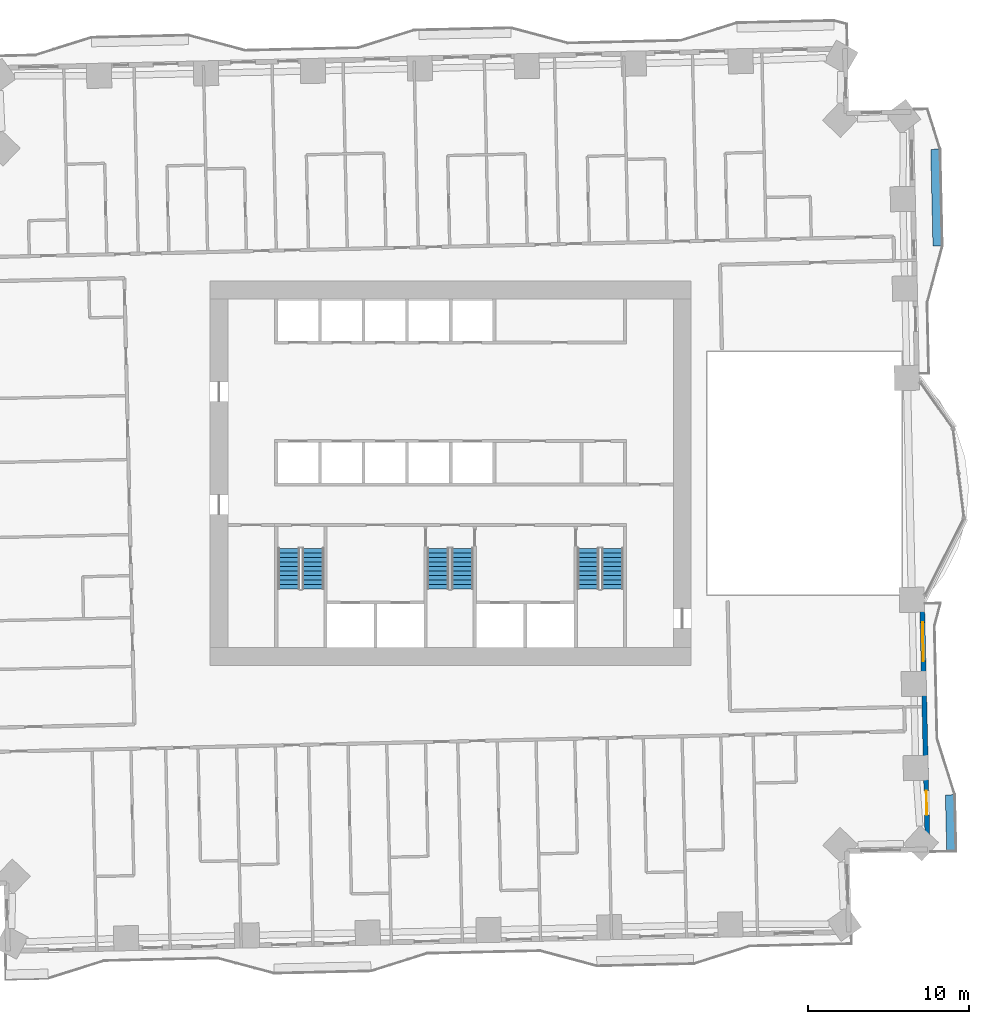
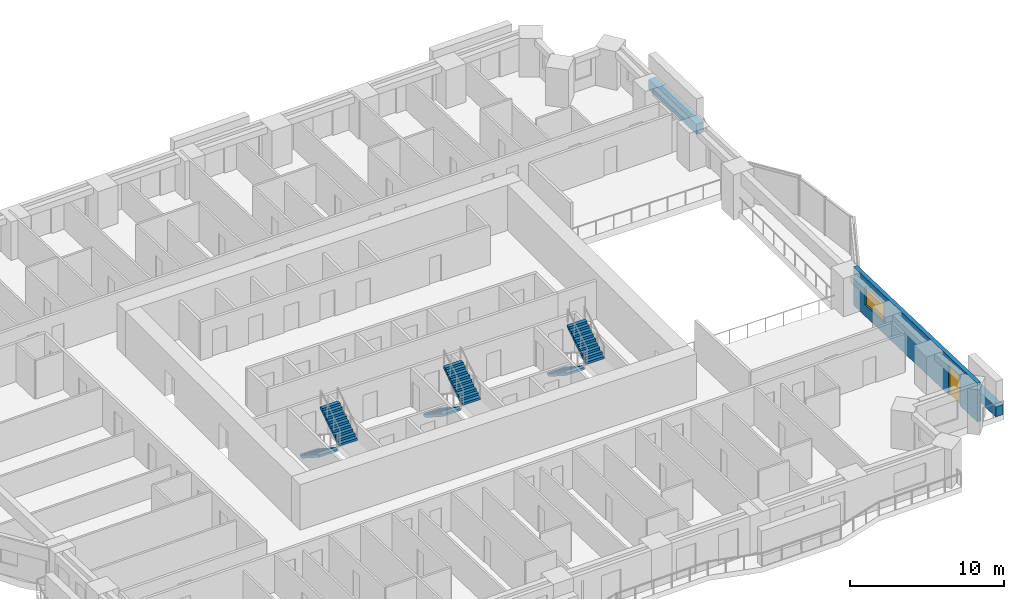
# One storey, part 12 of 16: 6 stair flights, 3 walls, 1 door, 1 window, 2 openings, 3 elements without a shape of their own.
"""IFC4 building model written with IfcOpenShell, lengths in metres."""

from ifc_helpers import new_model, si_unit, direction, frame, frame_2d, origin, place, context, subcontext, project, spatial, polyline, rectangle, outline, extrude, material, layer, layer_set, type_object, element, fill, aggregate, save


model = new_model("IFC4")

# Units and contexts
model_context = context("Model", 3, precision=1e-05, world=origin(), true_north=direction((0.0, 1.0)))
body_context = subcontext(model_context, "Body", "Model", "MODEL_VIEW")
ifc_project = project(units=[si_unit("LENGTHUNIT", "METRE"), si_unit("AREAUNIT", "SQUARE_METRE"), si_unit("VOLUMEUNIT", "CUBIC_METRE"), si_unit("PLANEANGLEUNIT", "RADIAN"), si_unit("MASSUNIT", "GRAM", prefix="KILO")], contexts=[model_context])

# Site, building, storey
site_placement = place(None, origin())
site = spatial("IfcSite", under=ifc_project, at=site_placement, CompositionType="ELEMENT")
building_placement = place(site_placement, origin())
building = spatial("IfcBuilding", under=site, at=building_placement, Name="Mangrove Gate Tower", CompositionType="ELEMENT")
storey_placement = place(building_placement, frame((0.0, 0.0, 41.300048828125)))
storey = spatial("IfcBuildingStorey", under=building, at=storey_placement, Name="L09", CompositionType="ELEMENT", Elevation=41.300048828125)

# Wall, openings, door, window
ifc_material_1 = material(Name="Limestone", Category="masonry")
ifc_layer_1 = layer(ifc_material_1, 0.0400390625, Name="Limestone cladding")
ifc_material_2 = material(Name="Ventilated air gap")
ifc_layer_2 = layer(ifc_material_2, 0.0400390625, Name="Ventilated cavity")
ifc_material_3 = material(Name="Mineral wool insulation")
ifc_layer_3 = layer(ifc_material_3, 0.06005859375, Name="Insulation")
ifc_material_4 = material(Name="Breather membrane")
ifc_layer_4 = layer(ifc_material_4, 0.001953125, Name="Breather membrane")
ifc_material_5 = material(Name="Concrete C20/25 blockwork", Category="masonry")
ifc_layer_5 = layer(ifc_material_5, 0.14990234375, Name="Blockwork backing wall")
ifc_material_6 = material(Name="Gypsum plaster")
ifc_layer_6 = layer(ifc_material_6, 0.008056640625, Name="Internal plaster")
ifc_layer_set_1 = layer_set([ifc_layer_1, ifc_layer_2, ifc_layer_3, ifc_layer_4, ifc_layer_5, ifc_layer_6], Name="External wall 300 limestone cladding")
wall_type_1 = type_object("IfcWallType", Name="External wall 300 limestone cladding", PredefinedType="SOLIDWALL", material=ifc_layer_set_1)
wall_1_placement = place(storey_placement, frame((29.549072265625, -23.299072265625, 0.0), z_axis=(0.0, 0.0, 1.0), x_axis=(-0.022670336976, 0.999742994885, 0.0)))
wall_1 = element("IfcWall", 1, at=wall_1_placement, inside=storey, type_object=wall_type_1, Name="WALL-L09-E0", PredefinedType="SOLIDWALL", context=body_context, shape_type="SweptSolid", body=[
    extrude(rectangle(XDim=15.529052734375, YDim=0.300048828125, at=frame_2d((7.7646484375, 0.0))), origin(), (0.0, 0.0, 1.0), 3.050048828125),
])
opening_1_placement = place(wall_1_placement, frame((2.133056640625, 0.0, 0.0)))
opening_1 = element("IfcOpeningElement", 2, at=opening_1_placement, cuts=wall_1, Name="Opening BD1", PredefinedType="OPENING", context=body_context, shape_type="SweptSolid", body=[
    extrude(rectangle(XDim=1.5, YDim=2.39990234375, at=frame_2d((0.75, 1.199951171875))), frame((0.0, 0.159912109375, 0.0), z_axis=(0.0, -1.0, 0.0), x_axis=(1.0, 0.0, 0.0)), (0.0, 0.0, 1.0), 0.320068359375),
])
opening_2_placement = place(wall_1_placement, frame((11.669921875, 0.0, 0.89990234375)))
opening_2 = element("IfcOpeningElement", 3, at=opening_2_placement, cuts=wall_1, Name="Opening W2", PredefinedType="OPENING", context=body_context, shape_type="SweptSolid", body=[
    extrude(rectangle(XDim=2.39990234375, YDim=1.5, at=frame_2d((1.199951171875, 0.75))), frame((0.0, 0.159912109375, 0.0), z_axis=(0.0, -1.0, 0.0), x_axis=(1.0, 0.0, 0.0)), (0.0, 0.0, 1.0), 0.320068359375),
])
ifc_material_7 = material(Name="Aluminium frame with laminated clear glass", Category="aluminium")
door_type = type_object("IfcDoorType", Name="Balcony sliding door 1500x2400", OperationType="SLIDING_TO_LEFT", PredefinedType="DOOR", material=ifc_material_7)
door_placement = place(opening_1_placement, origin())
door = element("IfcDoor", 4, at=door_placement, inside=storey, type_object=door_type, Name="DOOR-L09-E0-1", OperationType="SLIDING_TO_LEFT", OverallHeight=2.39990234375, OverallWidth=1.5, PredefinedType="DOOR", context=body_context, shape_type="SweptSolid", body=[
    extrude(rectangle(XDim=1.5, YDim=2.39990234375, at=frame_2d((0.75, 1.199951171875))), frame((0.0, 0.02490234375, 0.0), z_axis=(0.0, -1.0, 0.0), x_axis=(1.0, 0.0, 0.0)), (0.0, 0.0, 1.0), 0.050048828125),
])
fill(opening_1, door)
ifc_material_8 = material(Name="Aluminium frame with double-glazed low-e glass", Category="aluminium")
window_type = type_object("IfcWindowType", Name="Corner room window 2400x1500", PartitioningType="DOUBLE_PANEL_VERTICAL", PredefinedType="WINDOW", material=ifc_material_8)
window_placement = place(opening_2_placement, origin())
window = element("IfcWindow", 5, at=window_placement, inside=storey, type_object=window_type, Name="WIN-L09-E0-2", OverallHeight=1.5, OverallWidth=2.39990234375, PartitioningType="DOUBLE_PANEL_VERTICAL", PredefinedType="WINDOW", context=body_context, shape_type="SweptSolid", body=[
    extrude(rectangle(XDim=2.39990234375, YDim=1.5, at=frame_2d((1.199951171875, 0.75))), frame((0.0, 0.030029296875, 0.0), z_axis=(0.0, -1.0, 0.0), x_axis=(1.0, 0.0, 0.0)), (0.0, 0.0, 1.0), 0.06005859375),
])
fill(opening_2, window)

# Walls
ifc_material_9 = material(Name="Concrete C32/40", Category="concrete")
ifc_layer_7 = layer(ifc_material_9, 0.199951171875, Name="Planter trough wall")
ifc_material_10 = material(Name="Bituminous waterproofing membrane")
ifc_layer_8 = layer(ifc_material_10, 0.0048828125, Name="Waterproofing")
ifc_material_11 = material(Name="Drainage board and gravel")
ifc_layer_9 = layer(ifc_material_11, 0.044921875, Name="Drainage layer")
ifc_material_12 = material(Name="Planting soil")
ifc_layer_10 = layer(ifc_material_12, 0.300048828125, Name="Growing medium")
ifc_layer_set_2 = layer_set([ifc_layer_7, ifc_layer_8, ifc_layer_9, ifc_layer_10], Name="Planter wall 550 C32/40")
wall_type_2 = type_object("IfcWallType", Name="Planter wall 550 C32/40", PredefinedType="USERDEFINED", material=ifc_layer_set_2)
wall_2_placement = place(storey_placement, frame((31.001953125, -23.416015625, 0.0), z_axis=(0.0, 0.0, 1.0), x_axis=(-0.022810139511, 0.99973981492, 0.0)))
element("IfcWall", 6, at=wall_2_placement, inside=storey, type_object=wall_type_2, Name="PLANTER L09 E0.1", ObjectType="PLANTER", PredefinedType="USERDEFINED", context=body_context, shape_type="SweptSolid", body=[
    extrude(rectangle(XDim=3.5, YDim=0.550048828125, at=frame_2d((1.75, 0.0))), origin(), (0.0, 0.0, 1.0), 0.800048828125),
])
wall_3_placement = place(storey_placement, frame((30.15087890625, 14.073974609375, 0.0), z_axis=(0.0, 0.0, 1.0), x_axis=(-0.022665943652, 0.999743094499, 0.0)))
element("IfcWall", 7, at=wall_3_placement, inside=storey, type_object=wall_type_2, Name="PLANTER L09 E1.1", ObjectType="PLANTER", PredefinedType="USERDEFINED", context=body_context, shape_type="SweptSolid", body=[
    extrude(rectangle(XDim=5.99951171875, YDim=0.550048828125, at=frame_2d((2.999755859375, 0.0))), origin(), (0.0, 0.0, 1.0), 0.800048828125),
])

# Stair, stair flights
ifc_material_13 = material(Name="Concrete C40/50", Category="concrete")
stair_type = type_object("IfcStairType", Name="Core stair 1350", PredefinedType="HALF_TURN_STAIR", material=ifc_material_13)
stair_1_placement = place(storey_placement, origin())
stair_1 = element("IfcStair", 8, at=stair_1_placement, inside=storey, type_object=stair_type, Name="L09 Stair 1", PredefinedType="HALF_TURN_STAIR")
ifc_material_14 = material(Name="Concrete C40/50", Category="concrete")
stair_flight_type = type_object("IfcStairFlightType", Name="Core stair flight 1350", PredefinedType="STRAIGHT", material=ifc_material_14)
stair_flight_1_placement = place(storey_placement, frame((-10.02490234375, -4.64990234375, 0.0), z_axis=(0.0, 0.0, 1.0), x_axis=(0.0, -1.0, 0.0)))
stair_flight_1 = element("IfcStairFlight", 9, at=stair_flight_1_placement, type_object=stair_flight_type, Name="ST1 flight 1", NumberOfRisers=10, NumberOfTreads=9, PredefinedType="STRAIGHT", RiserHeight=0.18, TreadLength=0.28, context=body_context, shape_type="SweptSolid", body=[
    extrude(outline(polyline([(0.0, 0.0), (0.0, 0.179931640625), (0.280029296875, 0.179931640625), (0.280029296875, 0.360107421875), (0.56005859375, 0.360107421875), (0.56005859375, 0.5400390625), (0.840087890625, 0.5400390625), (0.840087890625, 0.719970703125), (1.1201171875, 0.719970703125), (1.1201171875, 0.89990234375), (1.39990234375, 0.89990234375), (1.39990234375, 1.080078125), (1.679931640625, 1.080078125), (1.679931640625, 1.260009765625), (1.9599609375, 1.260009765625), (1.9599609375, 1.43994140625), (2.239990234375, 1.43994140625), (2.239990234375, 1.6201171875), (2.52001953125, 1.6201171875), (2.52001953125, 1.800048828125), (2.52001953125, 1.44189453125), (0.277099609375, 0.0), (0.0, 0.0)])), frame((0.0, 0.675048828125, 0.0), z_axis=(0.0, -1.0, 0.0), x_axis=(1.0, 0.0, 0.0)), (0.0, 0.0, 1.0), 1.35009765625),
])
stair_flight_2_placement = place(storey_placement, frame((-8.52490234375, -7.169921875, 1.800048828125), z_axis=(0.0, 0.0, 1.0), x_axis=(0.0, 1.0, 0.0)))
stair_flight_2 = element("IfcStairFlight", 10, at=stair_flight_2_placement, type_object=stair_flight_type, Name="ST1 flight 2", NumberOfRisers=10, NumberOfTreads=9, PredefinedType="STRAIGHT", RiserHeight=0.18, TreadLength=0.28, context=body_context, shape_type="SweptSolid", body=[
    extrude(outline(polyline([(0.0, 0.0), (0.0, 0.179931640625), (0.280029296875, 0.179931640625), (0.280029296875, 0.360107421875), (0.56005859375, 0.360107421875), (0.56005859375, 0.5400390625), (0.840087890625, 0.5400390625), (0.840087890625, 0.719970703125), (1.1201171875, 0.719970703125), (1.1201171875, 0.89990234375), (1.39990234375, 0.89990234375), (1.39990234375, 1.080078125), (1.679931640625, 1.080078125), (1.679931640625, 1.260009765625), (1.9599609375, 1.260009765625), (1.9599609375, 1.43994140625), (2.239990234375, 1.43994140625), (2.239990234375, 1.6201171875), (2.52001953125, 1.6201171875), (2.52001953125, 1.800048828125), (2.52001953125, 1.44189453125), (0.277099609375, 0.0), (0.0, 0.0)])), frame((0.0, 0.675048828125, 0.0), z_axis=(0.0, -1.0, 0.0), x_axis=(1.0, 0.0, 0.0)), (0.0, 0.0, 1.0), 1.35009765625),
])
aggregate(stair_1, [stair_flight_1, stair_flight_2])

stair_2_placement = place(storey_placement, origin())
stair_2 = element("IfcStair", 11, at=stair_2_placement, inside=storey, type_object=stair_type, Name="L09 Stair 2", PredefinedType="HALF_TURN_STAIR")
stair_flight_3_placement = place(storey_placement, frame((-0.77490234375, -4.64990234375, 0.0), z_axis=(0.0, 0.0, 1.0), x_axis=(0.0, -1.0, 0.0)))
stair_flight_3 = element("IfcStairFlight", 12, at=stair_flight_3_placement, type_object=stair_flight_type, Name="ST2 flight 1", NumberOfRisers=10, NumberOfTreads=9, PredefinedType="STRAIGHT", RiserHeight=0.18, TreadLength=0.28, context=body_context, shape_type="SweptSolid", body=[
    extrude(outline(polyline([(0.0, 0.0), (0.0, 0.179931640625), (0.280029296875, 0.179931640625), (0.280029296875, 0.360107421875), (0.56005859375, 0.360107421875), (0.56005859375, 0.5400390625), (0.840087890625, 0.5400390625), (0.840087890625, 0.719970703125), (1.1201171875, 0.719970703125), (1.1201171875, 0.89990234375), (1.39990234375, 0.89990234375), (1.39990234375, 1.080078125), (1.679931640625, 1.080078125), (1.679931640625, 1.260009765625), (1.9599609375, 1.260009765625), (1.9599609375, 1.43994140625), (2.239990234375, 1.43994140625), (2.239990234375, 1.6201171875), (2.52001953125, 1.6201171875), (2.52001953125, 1.800048828125), (2.52001953125, 1.44189453125), (0.277099609375, 0.0), (0.0, 0.0)])), frame((0.0, 0.675048828125, 0.0), z_axis=(0.0, -1.0, 0.0), x_axis=(1.0, 0.0, 0.0)), (0.0, 0.0, 1.0), 1.35009765625),
])
stair_flight_4_placement = place(storey_placement, frame((0.72509765625, -7.169921875, 1.800048828125), z_axis=(0.0, 0.0, 1.0), x_axis=(0.0, 1.0, 0.0)))
stair_flight_4 = element("IfcStairFlight", 13, at=stair_flight_4_placement, type_object=stair_flight_type, Name="ST2 flight 2", NumberOfRisers=10, NumberOfTreads=9, PredefinedType="STRAIGHT", RiserHeight=0.18, TreadLength=0.28, context=body_context, shape_type="SweptSolid", body=[
    extrude(outline(polyline([(0.0, 0.0), (0.0, 0.179931640625), (0.280029296875, 0.179931640625), (0.280029296875, 0.360107421875), (0.56005859375, 0.360107421875), (0.56005859375, 0.5400390625), (0.840087890625, 0.5400390625), (0.840087890625, 0.719970703125), (1.1201171875, 0.719970703125), (1.1201171875, 0.89990234375), (1.39990234375, 0.89990234375), (1.39990234375, 1.080078125), (1.679931640625, 1.080078125), (1.679931640625, 1.260009765625), (1.9599609375, 1.260009765625), (1.9599609375, 1.43994140625), (2.239990234375, 1.43994140625), (2.239990234375, 1.6201171875), (2.52001953125, 1.6201171875), (2.52001953125, 1.800048828125), (2.52001953125, 1.44189453125), (0.277099609375, 0.0), (0.0, 0.0)])), frame((0.0, 0.675048828125, 0.0), z_axis=(0.0, -1.0, 0.0), x_axis=(1.0, 0.0, 0.0)), (0.0, 0.0, 1.0), 1.35009765625),
])
aggregate(stair_2, [stair_flight_3, stair_flight_4])

stair_3_placement = place(storey_placement, origin())
stair_3 = element("IfcStair", 14, at=stair_3_placement, inside=storey, type_object=stair_type, Name="L09 Stair 3", PredefinedType="HALF_TURN_STAIR")
stair_flight_5_placement = place(storey_placement, frame((8.52490234375, -4.64990234375, 0.0), z_axis=(0.0, 0.0, 1.0), x_axis=(0.0, -1.0, 0.0)))
stair_flight_5 = element("IfcStairFlight", 15, at=stair_flight_5_placement, type_object=stair_flight_type, Name="ST3 flight 1", NumberOfRisers=10, NumberOfTreads=9, PredefinedType="STRAIGHT", RiserHeight=0.18, TreadLength=0.28, context=body_context, shape_type="SweptSolid", body=[
    extrude(outline(polyline([(0.0, 0.0), (0.0, 0.179931640625), (0.280029296875, 0.179931640625), (0.280029296875, 0.360107421875), (0.56005859375, 0.360107421875), (0.56005859375, 0.5400390625), (0.840087890625, 0.5400390625), (0.840087890625, 0.719970703125), (1.1201171875, 0.719970703125), (1.1201171875, 0.89990234375), (1.39990234375, 0.89990234375), (1.39990234375, 1.080078125), (1.679931640625, 1.080078125), (1.679931640625, 1.260009765625), (1.9599609375, 1.260009765625), (1.9599609375, 1.43994140625), (2.239990234375, 1.43994140625), (2.239990234375, 1.6201171875), (2.52001953125, 1.6201171875), (2.52001953125, 1.800048828125), (2.52001953125, 1.44189453125), (0.277099609375, 0.0), (0.0, 0.0)])), frame((0.0, 0.675048828125, 0.0), z_axis=(0.0, -1.0, 0.0), x_axis=(1.0, 0.0, 0.0)), (0.0, 0.0, 1.0), 1.35009765625),
])
stair_flight_6_placement = place(storey_placement, frame((10.02490234375, -7.169921875, 1.800048828125), z_axis=(0.0, 0.0, 1.0), x_axis=(0.0, 1.0, 0.0)))
stair_flight_6 = element("IfcStairFlight", 16, at=stair_flight_6_placement, type_object=stair_flight_type, Name="ST3 flight 2", NumberOfRisers=10, NumberOfTreads=9, PredefinedType="STRAIGHT", RiserHeight=0.18, TreadLength=0.28, context=body_context, shape_type="SweptSolid", body=[
    extrude(outline(polyline([(0.0, 0.0), (0.0, 0.179931640625), (0.280029296875, 0.179931640625), (0.280029296875, 0.360107421875), (0.56005859375, 0.360107421875), (0.56005859375, 0.5400390625), (0.840087890625, 0.5400390625), (0.840087890625, 0.719970703125), (1.1201171875, 0.719970703125), (1.1201171875, 0.89990234375), (1.39990234375, 0.89990234375), (1.39990234375, 1.080078125), (1.679931640625, 1.080078125), (1.679931640625, 1.260009765625), (1.9599609375, 1.260009765625), (1.9599609375, 1.43994140625), (2.239990234375, 1.43994140625), (2.239990234375, 1.6201171875), (2.52001953125, 1.6201171875), (2.52001953125, 1.800048828125), (2.52001953125, 1.44189453125), (0.277099609375, 0.0), (0.0, 0.0)])), frame((0.0, 0.675048828125, 0.0), z_axis=(0.0, -1.0, 0.0), x_axis=(1.0, 0.0, 0.0)), (0.0, 0.0, 1.0), 1.35009765625),
])
aggregate(stair_3, [stair_flight_5, stair_flight_6])

save(model, "model.ifc")
